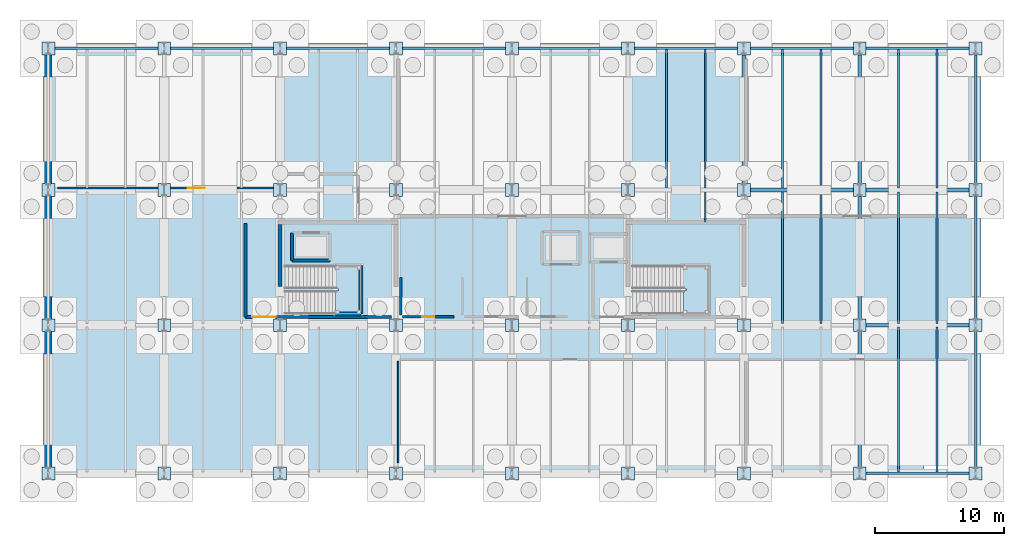
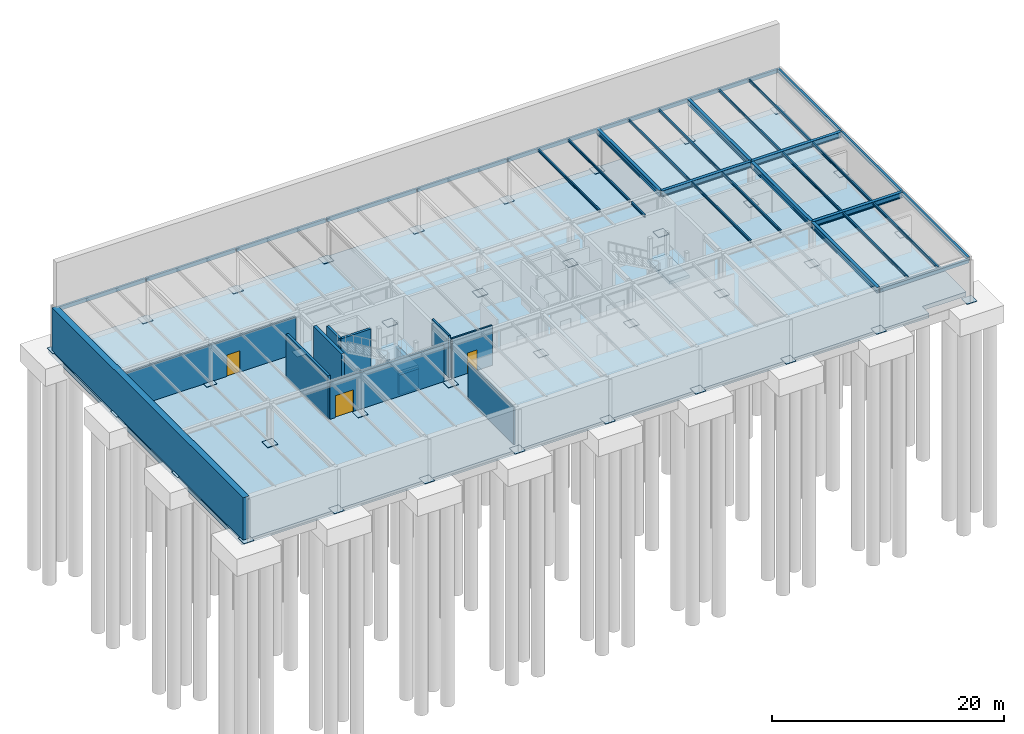
# One storey, part 8 of 19: 36 plates, 32 beams, 12 walls, 3 doors, 3 slabs, 3 openings, 2 elements without a shape of their own.
"""IFC4 building model written with IfcOpenShell, lengths in metres."""

from ifc_helpers import new_model, si_unit, direction, frame, frame_2d, origin, origin_2d, place, context, subcontext, project, spatial, polyline, rectangle, hollow_rectangle, i_section, outline, extrude, material, layer, layer_set, material_profile, profile_set, type_object, element, fill, aggregate, save


model = new_model("IFC4")

# Units and contexts
model_context = context("Model", 3, precision=1e-05, world=origin(), true_north=direction((0.0, 1.0)))
body_context = subcontext(model_context, "Body", "Model", "MODEL_VIEW")
ifc_project = project(units=[si_unit("LENGTHUNIT", "METRE"), si_unit("AREAUNIT", "SQUARE_METRE"), si_unit("VOLUMEUNIT", "CUBIC_METRE"), si_unit("PLANEANGLEUNIT", "RADIAN"), si_unit("MASSUNIT", "GRAM", prefix="KILO")], contexts=[model_context])

# Site, building, storey
site_placement = place(None, origin())
site = spatial("IfcSite", under=ifc_project, at=site_placement, CompositionType="ELEMENT")
building_placement = place(site_placement, origin())
building = spatial("IfcBuilding", under=site, at=building_placement, Name="Marlcrest Central Station", CompositionType="ELEMENT")
storey_placement = place(building_placement, frame((0.0, 0.0, -4.800048828125)))
storey = spatial("IfcBuildingStorey", under=building, at=storey_placement, Name="B1", CompositionType="ELEMENT", Elevation=-4.800048828125)

# Beams
ifc_material_1 = material(Name="Steel S355", Category="steel")
ifc_material_profile_1 = material_profile(ifc_material_1, i_section(OverallWidth=0.300048828125, OverallDepth=0.60009765625, WebThickness=0.015380859375, FlangeThickness=0.030029296875, FilletRadius=0.027099609375, at=origin_2d()), Name="HEB 600")
ifc_profile_set_1 = profile_set([ifc_material_profile_1], Name="Steel S355")
beam_type_1 = type_object("IfcBeamType", Name="BM-12", PredefinedType="BEAM", material=ifc_profile_set_1)
for number, where, z_axis, x_axis, name in (
    (1, (63.050048828125, 110.5, 4.199951171875), (1.0, 0.0, 0.0), (0.0, 1.0, 0.0), "bm-BM-12-B1-00016"),
    (2, (54.050048828125, 121.0, 4.199951171875), (1.0, 0.0, 0.0), (0.0, 1.0, 0.0), "bm-BM-12-B1-00023"),
    (3, (63.050048828125, 121.0, 4.199951171875), (1.0, 0.0, 0.0), (0.0, 1.0, 0.0), "bm-BM-12-B1-00024"),
):
    element("IfcBeam", number, at=place(storey_placement, frame(where, z_axis=z_axis, x_axis=x_axis)), inside=storey, type_object=beam_type_1, Name=name, PredefinedType="BEAM", context=body_context, shape_type="SweptSolid", body=[
        extrude(i_section(OverallWidth=0.300048828125, OverallDepth=0.60009765625, WebThickness=0.015380859375, FlangeThickness=0.030029296875, FilletRadius=0.027099609375, at=origin_2d()), origin(), (0.0, 0.0, 1.0), 8.89990234375),
    ])
beam_1_placement = place(storey_placement, frame((54.0, 121.050048828125, 4.199951171875), z_axis=(0.0, 1.0, 0.0), x_axis=(-1.0, 0.0, 0.0)))
element("IfcBeam", 4, at=beam_1_placement, inside=storey, type_object=beam_type_1, Name="bm-BM-12-B1-00053", PredefinedType="BEAM", context=body_context, shape_type="SweptSolid", body=[
    extrude(i_section(OverallWidth=0.300048828125, OverallDepth=0.60009765625, WebThickness=0.015380859375, FlangeThickness=0.030029296875, FilletRadius=0.027099609375, at=origin_2d()), origin(), (0.0, 0.0, 1.0), 10.89990234375),
])
beam_2_placement = place(storey_placement, frame((63.0, 99.050048828125, 4.199951171875), z_axis=(0.0, 1.0, 0.0), x_axis=(-1.0, 0.0, 0.0)))
element("IfcBeam", 5, at=beam_2_placement, inside=storey, type_object=beam_type_1, Name="bm-BM-12-B1-00054", PredefinedType="BEAM", context=body_context, shape_type="SweptSolid", body=[
    extrude(i_section(OverallWidth=0.300048828125, OverallDepth=0.60009765625, WebThickness=0.015380859375, FlangeThickness=0.030029296875, FilletRadius=0.027099609375, at=origin_2d()), origin(), (0.0, 0.0, 1.0), 11.39990234375),
])
beam_3_placement = place(storey_placement, frame((63.0, 110.550048828125, 4.199951171875), z_axis=(0.0, 1.0, 0.0), x_axis=(-1.0, 0.0, 0.0)))
element("IfcBeam", 6, at=beam_3_placement, inside=storey, type_object=beam_type_1, Name="bm-BM-12-B1-00055", PredefinedType="BEAM", context=body_context, shape_type="SweptSolid", body=[
    extrude(i_section(OverallWidth=0.300048828125, OverallDepth=0.60009765625, WebThickness=0.015380859375, FlangeThickness=0.030029296875, FilletRadius=0.027099609375, at=origin_2d()), origin(), (0.0, 0.0, 1.0), 10.39990234375),
])
beam_4_placement = place(storey_placement, frame((63.0, 121.050048828125, 4.199951171875), z_axis=(0.0, 1.0, 0.0), x_axis=(-1.0, 0.0, 0.0)))
element("IfcBeam", 7, at=beam_4_placement, inside=storey, type_object=beam_type_1, Name="bm-BM-12-B1-00056", PredefinedType="BEAM", context=body_context, shape_type="SweptSolid", body=[
    extrude(i_section(OverallWidth=0.300048828125, OverallDepth=0.60009765625, WebThickness=0.015380859375, FlangeThickness=0.030029296875, FilletRadius=0.027099609375, at=origin_2d()), origin(), (0.0, 0.0, 1.0), 10.89990234375),
])
ifc_material_profile_2 = material_profile(ifc_material_1, i_section(OverallWidth=0.135009765625, OverallDepth=0.27001953125, WebThickness=0.006591796875, FlangeThickness=0.01025390625, FilletRadius=0.014892578125, at=origin_2d()), Name="IPE 270")
ifc_profile_set_2 = profile_set([ifc_material_profile_2], Name="Steel S355")
beam_type_2 = type_object("IfcBeamType", Name="JS-04", PredefinedType="JOIST", material=ifc_profile_set_2)
beam_5_placement = place(storey_placement, frame((48.0, 121.14501953125, 4.364990234375), z_axis=(0.0, 1.0, 0.0), x_axis=(-1.0, 0.0, 0.0)))
element("IfcBeam", 8, at=beam_5_placement, inside=storey, type_object=beam_type_2, Name="bm-JS-04-B1-00092", PredefinedType="JOIST", context=body_context, shape_type="SweptSolid", body=[
    extrude(i_section(OverallWidth=0.135009765625, OverallDepth=0.27001953125, WebThickness=0.006591796875, FlangeThickness=0.01025390625, FilletRadius=0.014892578125, at=origin_2d()), origin(), (0.0, 0.0, 1.0), 10.760009765625),
])
beam_6_placement = place(storey_placement, frame((51.0, 118.52001953125, 4.364990234375), z_axis=(0.0, 1.0, 0.0), x_axis=(-1.0, 0.0, 0.0)))
element("IfcBeam", 9, at=beam_6_placement, inside=storey, type_object=beam_type_2, Name="bm-JS-04-B1-00094", PredefinedType="JOIST", context=body_context, shape_type="SweptSolid", body=[
    extrude(i_section(OverallWidth=0.135009765625, OverallDepth=0.27001953125, WebThickness=0.006591796875, FlangeThickness=0.01025390625, FilletRadius=0.014892578125, at=origin_2d()), origin(), (0.0, 0.0, 1.0), 2.3349609375),
])
beam_7_placement = place(storey_placement, frame((51.0, 121.14501953125, 4.364990234375), z_axis=(0.0, 1.0, 0.0), x_axis=(-1.0, 0.0, 0.0)))
element("IfcBeam", 10, at=beam_7_placement, inside=storey, type_object=beam_type_2, Name="bm-JS-04-B1-00095", PredefinedType="JOIST", context=body_context, shape_type="SweptSolid", body=[
    extrude(i_section(OverallWidth=0.135009765625, OverallDepth=0.27001953125, WebThickness=0.006591796875, FlangeThickness=0.01025390625, FilletRadius=0.014892578125, at=origin_2d()), origin(), (0.0, 0.0, 1.0), 10.760009765625),
])
beam_8_placement = place(storey_placement, frame((57.0, 110.64501953125, 4.364990234375), z_axis=(0.0, 1.0, 0.0), x_axis=(-1.0, 0.0, 0.0)))
element("IfcBeam", 11, at=beam_8_placement, inside=storey, type_object=beam_type_2, Name="bm-JS-04-B1-00097", PredefinedType="JOIST", context=body_context, shape_type="SweptSolid", body=[
    extrude(i_section(OverallWidth=0.135009765625, OverallDepth=0.27001953125, WebThickness=0.006591796875, FlangeThickness=0.01025390625, FilletRadius=0.014892578125, at=origin_2d()), origin(), (0.0, 0.0, 1.0), 10.2099609375),
])
beam_9_placement = place(storey_placement, frame((57.0, 121.14501953125, 4.364990234375), z_axis=(0.0, 1.0, 0.0), x_axis=(-1.0, 0.0, 0.0)))
element("IfcBeam", 12, at=beam_9_placement, inside=storey, type_object=beam_type_2, Name="bm-JS-04-B1-00098", PredefinedType="JOIST", context=body_context, shape_type="SweptSolid", body=[
    extrude(i_section(OverallWidth=0.135009765625, OverallDepth=0.27001953125, WebThickness=0.006591796875, FlangeThickness=0.01025390625, FilletRadius=0.014892578125, at=origin_2d()), origin(), (0.0, 0.0, 1.0), 10.760009765625),
])
beam_10_placement = place(storey_placement, frame((60.0, 110.64501953125, 4.364990234375), z_axis=(0.0, 1.0, 0.0), x_axis=(-1.0, 0.0, 0.0)))
element("IfcBeam", 13, at=beam_10_placement, inside=storey, type_object=beam_type_2, Name="bm-JS-04-B1-00100", PredefinedType="JOIST", context=body_context, shape_type="SweptSolid", body=[
    extrude(i_section(OverallWidth=0.135009765625, OverallDepth=0.27001953125, WebThickness=0.006591796875, FlangeThickness=0.01025390625, FilletRadius=0.014892578125, at=origin_2d()), origin(), (0.0, 0.0, 1.0), 10.2099609375),
])
beam_11_placement = place(storey_placement, frame((60.0, 121.14501953125, 4.364990234375), z_axis=(0.0, 1.0, 0.0), x_axis=(-1.0, 0.0, 0.0)))
element("IfcBeam", 14, at=beam_11_placement, inside=storey, type_object=beam_type_2, Name="bm-JS-04-B1-00101", PredefinedType="JOIST", context=body_context, shape_type="SweptSolid", body=[
    extrude(i_section(OverallWidth=0.135009765625, OverallDepth=0.27001953125, WebThickness=0.006591796875, FlangeThickness=0.01025390625, FilletRadius=0.014892578125, at=origin_2d()), origin(), (0.0, 0.0, 1.0), 10.760009765625),
])
beam_12_placement = place(storey_placement, frame((66.0, 99.094970703125, 4.364990234375), z_axis=(0.0, 1.0, 0.0), x_axis=(-1.0, 0.0, 0.0)))
element("IfcBeam", 15, at=beam_12_placement, inside=storey, type_object=beam_type_2, Name="bm-JS-04-B1-00102", PredefinedType="JOIST", context=body_context, shape_type="SweptSolid", body=[
    extrude(i_section(OverallWidth=0.135009765625, OverallDepth=0.27001953125, WebThickness=0.006591796875, FlangeThickness=0.01025390625, FilletRadius=0.014892578125, at=origin_2d()), origin(), (0.0, 0.0, 1.0), 11.260009765625),
])
beam_13_placement = place(storey_placement, frame((66.0, 110.64501953125, 4.364990234375), z_axis=(0.0, 1.0, 0.0), x_axis=(-1.0, 0.0, 0.0)))
element("IfcBeam", 16, at=beam_13_placement, inside=storey, type_object=beam_type_2, Name="bm-JS-04-B1-00103", PredefinedType="JOIST", context=body_context, shape_type="SweptSolid", body=[
    extrude(i_section(OverallWidth=0.135009765625, OverallDepth=0.27001953125, WebThickness=0.006591796875, FlangeThickness=0.01025390625, FilletRadius=0.014892578125, at=origin_2d()), origin(), (0.0, 0.0, 1.0), 10.2099609375),
])
beam_14_placement = place(storey_placement, frame((66.0, 121.14501953125, 4.364990234375), z_axis=(0.0, 1.0, 0.0), x_axis=(-1.0, 0.0, 0.0)))
element("IfcBeam", 17, at=beam_14_placement, inside=storey, type_object=beam_type_2, Name="bm-JS-04-B1-00104", PredefinedType="JOIST", context=body_context, shape_type="SweptSolid", body=[
    extrude(i_section(OverallWidth=0.135009765625, OverallDepth=0.27001953125, WebThickness=0.006591796875, FlangeThickness=0.01025390625, FilletRadius=0.014892578125, at=origin_2d()), origin(), (0.0, 0.0, 1.0), 10.760009765625),
])
beam_15_placement = place(storey_placement, frame((69.0, 99.094970703125, 4.364990234375), z_axis=(0.0, 1.0, 0.0), x_axis=(-1.0, 0.0, 0.0)))
element("IfcBeam", 18, at=beam_15_placement, inside=storey, type_object=beam_type_2, Name="bm-JS-04-B1-00105", PredefinedType="JOIST", context=body_context, shape_type="SweptSolid", body=[
    extrude(i_section(OverallWidth=0.135009765625, OverallDepth=0.27001953125, WebThickness=0.006591796875, FlangeThickness=0.01025390625, FilletRadius=0.014892578125, at=origin_2d()), origin(), (0.0, 0.0, 1.0), 11.260009765625),
])
beam_16_placement = place(storey_placement, frame((69.0, 110.64501953125, 4.364990234375), z_axis=(0.0, 1.0, 0.0), x_axis=(-1.0, 0.0, 0.0)))
element("IfcBeam", 19, at=beam_16_placement, inside=storey, type_object=beam_type_2, Name="bm-JS-04-B1-00106", PredefinedType="JOIST", context=body_context, shape_type="SweptSolid", body=[
    extrude(i_section(OverallWidth=0.135009765625, OverallDepth=0.27001953125, WebThickness=0.006591796875, FlangeThickness=0.01025390625, FilletRadius=0.014892578125, at=origin_2d()), origin(), (0.0, 0.0, 1.0), 10.2099609375),
])
beam_17_placement = place(storey_placement, frame((69.0, 121.14501953125, 4.364990234375), z_axis=(0.0, 1.0, 0.0), x_axis=(-1.0, 0.0, 0.0)))
element("IfcBeam", 20, at=beam_17_placement, inside=storey, type_object=beam_type_2, Name="bm-JS-04-B1-00107", PredefinedType="JOIST", context=body_context, shape_type="SweptSolid", body=[
    extrude(i_section(OverallWidth=0.135009765625, OverallDepth=0.27001953125, WebThickness=0.006591796875, FlangeThickness=0.01025390625, FilletRadius=0.014892578125, at=origin_2d()), origin(), (0.0, 0.0, 1.0), 10.760009765625),
])
ifc_material_profile_3 = material_profile(ifc_material_1, hollow_rectangle(XDim=0.199951171875, YDim=0.39990234375, WallThickness=0.01611328125, at=origin_2d()), Name="RHS 400x200x16")
ifc_profile_set_3 = profile_set([ifc_material_profile_3], Name="Steel S355")
beam_type_3 = type_object("IfcBeamType", Name="SP-01", PredefinedType="SPANDREL", material=ifc_profile_set_3)
for number, where, z_axis, x_axis, name in (
    (21, (63.050048828125, 99.0, 4.195068359375), (1.0, 0.0, 0.0), (0.0, 1.0, 0.0), "bm-SP-01-B1-00008"),
    (22, (0.050048828125, 132.0, 4.195068359375), (1.0, 0.0, 0.0), (0.0, 1.0, 0.0), "bm-SP-01-B1-00025"),
    (23, (9.050048828125, 132.0, 4.195068359375), (1.0, 0.0, 0.0), (0.0, 1.0, 0.0), "bm-SP-01-B1-00026"),
    (24, (18.050048828125, 132.0, 4.195068359375), (1.0, 0.0, 0.0), (0.0, 1.0, 0.0), "bm-SP-01-B1-00027"),
    (25, (27.050048828125, 132.0, 4.195068359375), (1.0, 0.0, 0.0), (0.0, 1.0, 0.0), "bm-SP-01-B1-00028"),
    (26, (36.050048828125, 132.0, 4.195068359375), (1.0, 0.0, 0.0), (0.0, 1.0, 0.0), "bm-SP-01-B1-00029"),
    (27, (45.050048828125, 132.0, 4.195068359375), (1.0, 0.0, 0.0), (0.0, 1.0, 0.0), "bm-SP-01-B1-00030"),
    (28, (54.050048828125, 132.0, 4.195068359375), (1.0, 0.0, 0.0), (0.0, 1.0, 0.0), "bm-SP-01-B1-00031"),
    (29, (63.050048828125, 132.0, 4.195068359375), (1.0, 0.0, 0.0), (0.0, 1.0, 0.0), "bm-SP-01-B1-00032"),
):
    element("IfcBeam", number, at=place(storey_placement, frame(where, z_axis=z_axis, x_axis=x_axis)), inside=storey, type_object=beam_type_3, Name=name, PredefinedType="SPANDREL", context=body_context, shape_type="SweptSolid", body=[
        extrude(hollow_rectangle(XDim=0.199951171875, YDim=0.39990234375, WallThickness=0.01611328125, at=origin_2d()), origin(), (0.0, 0.0, 1.0), 8.89990234375),
    ])
beam_18_placement = place(storey_placement, frame((72.0, 99.050048828125, 4.300048828125), z_axis=(0.0, 1.0, 0.0), x_axis=(-1.0, 0.0, 0.0)))
element("IfcBeam", 30, at=beam_18_placement, inside=storey, type_object=beam_type_3, Name="bm-SP-01-B1-00057", PredefinedType="SPANDREL", context=body_context, shape_type="SweptSolid", body=[
    extrude(hollow_rectangle(XDim=0.199951171875, YDim=0.39990234375, WallThickness=0.01611328125, at=origin_2d()), origin(), (0.0, 0.0, 1.0), 11.39990234375),
])
beam_19_placement = place(storey_placement, frame((72.0, 110.550048828125, 4.300048828125), z_axis=(0.0, 1.0, 0.0), x_axis=(-1.0, 0.0, 0.0)))
element("IfcBeam", 31, at=beam_19_placement, inside=storey, type_object=beam_type_3, Name="bm-SP-01-B1-00058", PredefinedType="SPANDREL", context=body_context, shape_type="SweptSolid", body=[
    extrude(hollow_rectangle(XDim=0.199951171875, YDim=0.39990234375, WallThickness=0.01611328125, at=origin_2d()), origin(), (0.0, 0.0, 1.0), 10.39990234375),
])
beam_20_placement = place(storey_placement, frame((72.0, 121.050048828125, 4.300048828125), z_axis=(0.0, 1.0, 0.0), x_axis=(-1.0, 0.0, 0.0)))
element("IfcBeam", 32, at=beam_20_placement, inside=storey, type_object=beam_type_3, Name="bm-SP-01-B1-00059", PredefinedType="SPANDREL", context=body_context, shape_type="SweptSolid", body=[
    extrude(hollow_rectangle(XDim=0.199951171875, YDim=0.39990234375, WallThickness=0.01611328125, at=origin_2d()), origin(), (0.0, 0.0, 1.0), 10.89990234375),
])

# Plates
ifc_layer_1 = layer(ifc_material_1, 0.0380859375, Name="BPL-02")
ifc_layer_set_1 = layer_set([ifc_layer_1], Name="Steel S355")
plate_type = type_object("IfcPlateType", Name="BPL-02", PredefinedType="USERDEFINED", material=ifc_layer_set_1)
for number, where, z_axis, x_axis, name in (
    (33, (0.0, 99.0, 0.0), (0.0, 0.0, 1.0), (1.0, 0.0, 0.0), "plt-bp-00001"),
    (34, (0.0, 110.5, 0.0), (0.0, 0.0, 1.0), (1.0, 0.0, 0.0), "plt-bp-00002"),
    (35, (0.0, 121.0, 0.0), (0.0, 0.0, 1.0), (1.0, 0.0, 0.0), "plt-bp-00003"),
    (36, (0.0, 132.0, 0.0), (0.0, 0.0, 1.0), (1.0, 0.0, 0.0), "plt-bp-00004"),
    (37, (9.0, 99.0, 0.0), (0.0, 0.0, 1.0), (1.0, 0.0, 0.0), "plt-bp-00005"),
    (38, (9.0, 110.5, 0.0), (0.0, 0.0, 1.0), (1.0, 0.0, 0.0), "plt-bp-00006"),
    (39, (9.0, 121.0, 0.0), (0.0, 0.0, 1.0), (1.0, 0.0, 0.0), "plt-bp-00007"),
    (40, (9.0, 132.0, 0.0), (0.0, 0.0, 1.0), (1.0, 0.0, 0.0), "plt-bp-00008"),
    (41, (18.0, 99.0, 0.0), (0.0, 0.0, 1.0), (1.0, 0.0, 0.0), "plt-bp-00009"),
    (42, (18.0, 110.5, 0.0), (0.0, 0.0, 1.0), (1.0, 0.0, 0.0), "plt-bp-00010"),
    (43, (18.0, 121.0, 0.0), (0.0, 0.0, 1.0), (1.0, 0.0, 0.0), "plt-bp-00011"),
    (44, (18.0, 132.0, 0.0), (0.0, 0.0, 1.0), (1.0, 0.0, 0.0), "plt-bp-00012"),
    (45, (27.0, 99.0, 0.0), (0.0, 0.0, 1.0), (1.0, 0.0, 0.0), "plt-bp-00013"),
    (46, (27.0, 110.5, 0.0), (0.0, 0.0, 1.0), (1.0, 0.0, 0.0), "plt-bp-00014"),
    (47, (27.0, 121.0, 0.0), (0.0, 0.0, 1.0), (1.0, 0.0, 0.0), "plt-bp-00015"),
    (48, (27.0, 132.0, 0.0), (0.0, 0.0, 1.0), (1.0, 0.0, 0.0), "plt-bp-00016"),
    (49, (36.0, 99.0, 0.0), (0.0, 0.0, 1.0), (1.0, 0.0, 0.0), "plt-bp-00017"),
    (50, (36.0, 110.5, 0.0), (0.0, 0.0, 1.0), (1.0, 0.0, 0.0), "plt-bp-00018"),
    (51, (36.0, 121.0, 0.0), (0.0, 0.0, 1.0), (1.0, 0.0, 0.0), "plt-bp-00019"),
    (52, (36.0, 132.0, 0.0), (0.0, 0.0, 1.0), (1.0, 0.0, 0.0), "plt-bp-00020"),
    (53, (45.0, 99.0, 0.0), (0.0, 0.0, 1.0), (1.0, 0.0, 0.0), "plt-bp-00021"),
    (54, (45.0, 110.5, 0.0), (0.0, 0.0, 1.0), (1.0, 0.0, 0.0), "plt-bp-00022"),
    (55, (45.0, 121.0, 0.0), (0.0, 0.0, 1.0), (1.0, 0.0, 0.0), "plt-bp-00023"),
    (56, (45.0, 132.0, 0.0), (0.0, 0.0, 1.0), (1.0, 0.0, 0.0), "plt-bp-00024"),
    (57, (54.0, 99.0, 0.0), (0.0, 0.0, 1.0), (1.0, 0.0, 0.0), "plt-bp-00025"),
    (58, (54.0, 110.5, 0.0), (0.0, 0.0, 1.0), (1.0, 0.0, 0.0), "plt-bp-00026"),
    (59, (54.0, 121.0, 0.0), (0.0, 0.0, 1.0), (1.0, 0.0, 0.0), "plt-bp-00027"),
    (60, (54.0, 132.0, 0.0), (0.0, 0.0, 1.0), (1.0, 0.0, 0.0), "plt-bp-00028"),
    (61, (63.0, 99.0, 0.0), (0.0, 0.0, 1.0), (1.0, 0.0, 0.0), "plt-bp-00029"),
    (62, (63.0, 110.5, 0.0), (0.0, 0.0, 1.0), (1.0, 0.0, 0.0), "plt-bp-00030"),
    (63, (63.0, 121.0, 0.0), (0.0, 0.0, 1.0), (1.0, 0.0, 0.0), "plt-bp-00031"),
    (64, (63.0, 132.0, 0.0), (0.0, 0.0, 1.0), (1.0, 0.0, 0.0), "plt-bp-00032"),
    (65, (72.0, 99.0, 0.0), (0.0, 0.0, 1.0), (1.0, 0.0, 0.0), "plt-bp-00033"),
    (66, (72.0, 110.5, 0.0), (0.0, 0.0, 1.0), (1.0, 0.0, 0.0), "plt-bp-00034"),
    (67, (72.0, 121.0, 0.0), (0.0, 0.0, 1.0), (1.0, 0.0, 0.0), "plt-bp-00035"),
    (68, (72.0, 132.0, 0.0), (0.0, 0.0, 1.0), (1.0, 0.0, 0.0), "plt-bp-00036"),
):
    element("IfcPlate", number, at=place(storey_placement, frame(where, z_axis=z_axis, x_axis=x_axis)), inside=storey, type_object=plate_type, Name=name, ObjectType="BASE_PLATE", PredefinedType="USERDEFINED", context=body_context, shape_type="SweptSolid", body=[
        extrude(rectangle(XDim=1.0, YDim=1.0, at=origin_2d()), origin(), (0.0, 0.0, 1.0), 0.0380859375),
    ])

# Slab
ifc_material_2 = material(Name="Concrete C35/45", Category="concrete")
ifc_layer_2 = layer(ifc_material_2, 0.449951171875, Name="BS-01")
ifc_layer_set_2 = layer_set([ifc_layer_2], Name="Concrete C35/45")
slab_type_1 = type_object("IfcSlabType", Name="BS-01", PredefinedType="BASESLAB", material=ifc_layer_set_2)
slab_1_placement = place(storey_placement, frame((0.0, 0.0, -0.449951171875)))
element("IfcSlab", 69, at=slab_1_placement, inside=storey, type_object=slab_type_1, Name="slab-B1-0001", PredefinedType="BASESLAB", context=body_context, shape_type="SweptSolid", body=[
    extrude(outline(polyline([(-0.39990234375, 99.0), (68.0, 99.0), (68.0, 100.199951171875), (72.39990234375, 100.199951171875), (72.39990234375, 132.39990234375), (-0.39990234375, 132.39990234375), (-0.39990234375, 99.0)])), origin(), (0.0, 0.0, 1.0), 0.449951171875),
])

# Stair, slab
stair_type = type_object("IfcStairType", Name="ST-HTS", PredefinedType="HALF_TURN_STAIR", material=ifc_material_2)
stair_1_placement = place(storey_placement, origin())
stair_1 = element("IfcStair", 70, at=stair_1_placement, inside=storey, type_object=stair_type, Name="ST-W1B", PredefinedType="HALF_TURN_STAIR")
ifc_layer_3 = layer(ifc_material_2, 0.320068359375, Name="LS-01")
ifc_layer_set_3 = layer_set([ifc_layer_3], Name="Concrete C35/45")
slab_type_2 = type_object("IfcSlabType", Name="LS-01", PredefinedType="LANDING", material=ifc_layer_set_3)
slab_2_placement = place(storey_placement, frame((0.0, 0.0, 2.080078125)))
slab_2 = element("IfcSlab", 71, at=slab_2_placement, type_object=slab_type_2, Name="ST-W1B-L1", PredefinedType="LANDING", context=body_context, shape_type="SweptSolid", body=[
    extrude(outline(polyline([(22.280029296875, 111.3701171875), (24.280029296875, 111.3701171875), (24.280029296875, 115.1298828125), (22.280029296875, 115.1298828125), (22.280029296875, 113.31005859375), (22.530029296875, 113.31005859375), (22.530029296875, 113.18994140625), (22.280029296875, 113.18994140625), (22.280029296875, 111.3701171875)])), origin(), (0.0, 0.0, 1.0), 0.320068359375),
])
aggregate(stair_1, [slab_2])

stair_2_placement = place(storey_placement, origin())
stair_2 = element("IfcStair", 72, at=stair_2_placement, inside=storey, type_object=stair_type, Name="ST-W2B", PredefinedType="HALF_TURN_STAIR")
slab_3_placement = place(storey_placement, frame((0.0, 0.0, 2.080078125)))
slab_3 = element("IfcSlab", 73, at=slab_3_placement, type_object=slab_type_2, Name="ST-W2B-L1", PredefinedType="LANDING", context=body_context, shape_type="SweptSolid", body=[
    extrude(outline(polyline([(49.280029296875, 111.3701171875), (51.280029296875, 111.3701171875), (51.280029296875, 115.1298828125), (49.280029296875, 115.1298828125), (49.280029296875, 113.31005859375), (49.530029296875, 113.31005859375), (49.530029296875, 113.18994140625), (49.280029296875, 113.18994140625), (49.280029296875, 111.3701171875)])), origin(), (0.0, 0.0, 1.0), 0.320068359375),
])
aggregate(stair_2, [slab_3])

# Wall
ifc_material_3 = material(Name="Acoustic steel-stud gypsum board partition", Category="steel")
ifc_layer_4 = layer(ifc_material_3, 0.1201171875, Name="PT-01")
ifc_layer_set_4 = layer_set([ifc_layer_4], Name="Acoustic steel-stud gypsum board partition")
wall_type_1 = type_object("IfcWallType", Name="PT-01", PredefinedType="PARTITIONING", material=ifc_layer_set_4)
wall_1_placement = place(storey_placement, frame((27.159912109375, 99.81005859375, 0.0), z_axis=(0.0, 0.0, 1.0), x_axis=(0.0, 1.0, 0.0)))
element("IfcWall", 74, at=wall_1_placement, inside=storey, type_object=wall_type_1, Name="iwall-B1-00007", PredefinedType="PARTITIONING", context=body_context, shape_type="SweptSolid", body=[
    extrude(rectangle(XDim=7.8798828125, YDim=0.1201171875, at=frame_2d((3.93994140625, 0.0))), origin(), (0.0, 0.0, 1.0), 3.8701171875),
])

# Wall, opening, door
ifc_material_4 = material(Name="Moisture-resistant tiled sanitary partition")
ifc_layer_5 = layer(ifc_material_4, 0.159912109375, Name="PT-03")
ifc_layer_set_5 = layer_set([ifc_layer_5], Name="Moisture-resistant tiled sanitary partition")
wall_type_2 = type_object("IfcWallType", Name="PT-03", PredefinedType="PARTITIONING", material=ifc_layer_set_5)
wall_2_placement = place(storey_placement, frame((31.489990234375, 111.159912109375, 0.0), z_axis=(0.0, 0.0, 1.0), x_axis=(-1.0, 0.0, 0.0)))
wall_2 = element("IfcWall", 75, at=wall_2_placement, inside=storey, type_object=wall_type_2, Name="iwall-B1-00012", PredefinedType="PARTITIONING", context=body_context, shape_type="SweptSolid", body=[
    extrude(rectangle(XDim=3.97998046875, YDim=0.159912109375, at=frame_2d((1.989990234375, 0.0))), origin(), (0.0, 0.0, 1.0), 4.199951171875),
])
opening_1_placement = place(wall_2_placement, frame((1.514892578125, 0.0, 0.0)))
opening_1 = element("IfcOpeningElement", 76, at=opening_1_placement, cuts=wall_2, Name="Opening ID-01", PredefinedType="OPENING", context=body_context, shape_type="SweptSolid", body=[
    extrude(rectangle(XDim=0.949951171875, YDim=2.14990234375, at=frame_2d((0.47509765625, 1.074951171875))), frame((0.0, 0.08984375, 0.0), z_axis=(0.0, -1.0, 0.0), x_axis=(1.0, 0.0, 0.0)), (0.0, 0.0, 1.0), 0.179931640625),
])
ifc_material_5 = material(Name="Solid-core hardwood acoustic door", Category="wood")
door_type_1 = type_object("IfcDoorType", Name="ID-01", OperationType="NOTDEFINED", PredefinedType="DOOR", material=ifc_material_5)
door_1_placement = place(opening_1_placement, origin())
door_1 = element("IfcDoor", 77, at=door_1_placement, inside=storey, type_object=door_type_1, Name="B1-WC1 0007", OperationType="SINGLE_SWING_RIGHT", OverallHeight=2.14990234375, OverallWidth=0.949951171875, PredefinedType="DOOR", context=body_context, shape_type="SweptSolid", body=[
    extrude(rectangle(XDim=0.949951171875, YDim=2.14990234375, at=frame_2d((0.47509765625, 1.074951171875))), frame((0.0, 0.02490234375, 0.0), z_axis=(0.0, -1.0, 0.0), x_axis=(1.0, 0.0, 0.0)), (0.0, 0.0, 1.0), 0.050048828125),
])
fill(opening_1, door_1)

# Wall
wall_3_placement = place(storey_placement, frame((27.360107421875, 111.31005859375, 0.0), z_axis=(0.0, 0.0, 1.0), x_axis=(0.0, 1.0, 0.0)))
element("IfcWall", 78, at=wall_3_placement, inside=storey, type_object=wall_type_2, Name="iwall-B1-00013", PredefinedType="PARTITIONING", context=body_context, shape_type="SweptSolid", body=[
    extrude(rectangle(XDim=2.8798828125, YDim=0.159912109375, at=frame_2d((1.43994140625, 0.0))), origin(), (0.0, 0.0, 1.0), 4.449951171875),
])

# Wall, opening, door
ifc_material_6 = material(Name="Fire-rated corridor blockwork partition", Category="masonry")
ifc_layer_6 = layer(ifc_material_6, 0.179931640625, Name="PT-04")
ifc_layer_set_6 = layer_set([ifc_layer_6], Name="Fire-rated corridor blockwork partition")
wall_type_3 = type_object("IfcWallType", Name="PT-04", PredefinedType="PARTITIONING", material=ifc_layer_set_6)
wall_4_placement = place(storey_placement, frame((17.68994140625, 121.159912109375, 0.0), z_axis=(0.0, 0.0, 1.0), x_axis=(-1.0, 0.0, 0.0)))
wall_4 = element("IfcWall", 79, at=wall_4_placement, inside=storey, type_object=wall_type_3, Name="iwall-B1-00001", PredefinedType="PARTITIONING", context=body_context, shape_type="SweptSolid", body=[
    extrude(rectangle(XDim=16.97998046875, YDim=0.179931640625, at=frame_2d((8.489990234375, 0.0))), origin(), (0.0, 0.0, 1.0), 3.8701171875),
])
opening_2_placement = place(wall_4_placement, frame((5.553955078125, 0.0, 0.0)))
opening_2 = element("IfcOpeningElement", 80, at=opening_2_placement, cuts=wall_4, Name="Opening FD-60W", PredefinedType="OPENING", context=body_context, shape_type="SweptSolid", body=[
    extrude(rectangle(XDim=1.300048828125, YDim=2.25, at=frame_2d((0.64990234375, 1.125))), frame((0.0, 0.099853515625, 0.0), z_axis=(0.0, -1.0, 0.0), x_axis=(1.0, 0.0, 0.0)), (0.0, 0.0, 1.0), 0.199951171875),
])
ifc_material_7 = material(Name="Wide 60-minute plant equipment fire door")
door_type_2 = type_object("IfcDoorType", Name="FD-60W", OperationType="NOTDEFINED", PredefinedType="DOOR", material=ifc_material_7)
door_2_placement = place(opening_2_placement, origin())
door_2 = element("IfcDoor", 81, at=door_2_placement, inside=storey, type_object=door_type_2, Name="B1-03 0001", OperationType="SINGLE_SWING_RIGHT", OverallHeight=2.25, OverallWidth=1.300048828125, PredefinedType="DOOR", context=body_context, shape_type="SweptSolid", body=[
    extrude(rectangle(XDim=1.300048828125, YDim=2.25, at=frame_2d((0.64990234375, 1.125))), frame((0.0, 0.02490234375, 0.0), z_axis=(0.0, -1.0, 0.0), x_axis=(1.0, 0.0, 0.0)), (0.0, 0.0, 1.0), 0.050048828125),
])
fill(opening_2, door_2)

# Walls
ifc_material_8 = material(Name="Concrete C40/50", Category="concrete")
ifc_layer_7 = layer(ifc_material_8, 0.60009765625, Name="RW-04")
ifc_layer_set_7 = layer_set([ifc_layer_7], Name="Concrete C40/50")
wall_type_4 = type_object("IfcWallType", Name="RW-04", PredefinedType="USERDEFINED", material=ifc_layer_set_7)
wall_5_placement = place(storey_placement, frame((0.0, 132.0, 0.0), z_axis=(0.0, 0.0, 1.0), x_axis=(0.0, -1.0, 0.0)))
element("IfcWall", 82, at=wall_5_placement, inside=storey, type_object=wall_type_4, Name="swall-B1-0004", ObjectType="RETAINING_WALL", PredefinedType="USERDEFINED", context=body_context, shape_type="SweptSolid", body=[
    extrude(rectangle(XDim=33.0, YDim=0.60009765625, at=frame_2d((16.5, 0.0))), origin(), (0.0, 0.0, 1.0), 4.5),
])
ifc_layer_8 = layer(ifc_material_8, 0.22998046875, Name="SHW-01")
ifc_layer_set_8 = layer_set([ifc_layer_8], Name="Concrete C40/50")
wall_type_5 = type_object("IfcWallType", Name="SHW-01", PredefinedType="SOLIDWALL", material=ifc_layer_set_8)
wall_6_placement = place(storey_placement, frame((21.8798828125, 115.52001953125, 0.0), z_axis=(0.0, 0.0, 1.0), x_axis=(-1.0, 0.0, 0.0)))
element("IfcWall", 83, at=wall_6_placement, inside=storey, type_object=wall_type_5, Name="iwall-B1-00344", PredefinedType="SOLIDWALL", context=body_context, shape_type="SweptSolid", body=[
    extrude(rectangle(XDim=2.9599609375, YDim=0.22998046875, at=frame_2d((1.47998046875, 0.0))), origin(), (0.0, 0.0, 1.0), 4.56005859375),
])
wall_7_placement = place(storey_placement, frame((18.919921875, 115.52001953125, 0.0), z_axis=(0.0, 0.0, 1.0), x_axis=(0.0, 1.0, 0.0)))
element("IfcWall", 84, at=wall_7_placement, inside=storey, type_object=wall_type_5, Name="iwall-B1-00345", PredefinedType="SOLIDWALL", context=body_context, shape_type="SweptSolid", body=[
    extrude(rectangle(XDim=2.159912109375, YDim=0.22998046875, at=frame_2d((1.080078125, 0.0))), origin(), (0.0, 0.0, 1.0), 4.56005859375),
])

# Wall, opening, door
wall_8_placement = place(storey_placement, frame((15.300048828125, 111.14990234375, 0.0), z_axis=(0.0, 0.0, 1.0), x_axis=(1.0, 0.0, 0.0)))
wall_8 = element("IfcWall", 85, at=wall_8_placement, inside=storey, type_object=wall_type_5, Name="iwall-B1-00425", PredefinedType="SOLIDWALL", context=body_context, shape_type="SweptSolid", body=[
    extrude(rectangle(XDim=11.349853515625, YDim=0.22998046875, at=frame_2d((5.6748046875, 0.0))), origin(), (0.0, 0.0, 1.0), 3.8701171875),
])
opening_3_placement = place(wall_8_placement, frame((0.550048828125, 0.0, 0.0)))
opening_3 = element("IfcOpeningElement", 86, at=opening_3_placement, cuts=wall_8, Name="Opening FD-90D", PredefinedType="OPENING", context=body_context, shape_type="SweptSolid", body=[
    extrude(rectangle(XDim=1.800048828125, YDim=2.300048828125, at=frame_2d((0.89990234375, 1.14990234375))), frame((0.0, 0.125, 0.0), z_axis=(0.0, -1.0, 0.0), x_axis=(1.0, 0.0, 0.0)), (0.0, 0.0, 1.0), 0.25),
])
ifc_material_9 = material(Name="90-minute double exit-stair fire door")
door_type_3 = type_object("IfcDoorType", Name="FD-90D", OperationType="DOUBLE_DOOR_SINGLE_SWING", PredefinedType="DOOR", material=ifc_material_9)
door_3_placement = place(opening_3_placement, origin())
door_3 = element("IfcDoor", 87, at=door_3_placement, inside=storey, type_object=door_type_3, Name="ST-W1B Stair Door 0182", OperationType="DOUBLE_DOOR_SINGLE_SWING", OverallHeight=2.300048828125, OverallWidth=1.800048828125, PredefinedType="DOOR", context=body_context, shape_type="SweptSolid", body=[
    extrude(rectangle(XDim=1.800048828125, YDim=2.300048828125, at=frame_2d((0.89990234375, 1.14990234375))), frame((0.0, 0.02490234375, 0.0), z_axis=(0.0, -1.0, 0.0), x_axis=(1.0, 0.0, 0.0)), (0.0, 0.0, 1.0), 0.050048828125),
])
fill(opening_3, door_3)

# Walls
wall_9_placement = place(storey_placement, frame((15.300048828125, 111.14990234375, 0.0), z_axis=(0.0, 0.0, 1.0), x_axis=(0.0, 1.0, 0.0)))
element("IfcWall", 88, at=wall_9_placement, inside=storey, type_object=wall_type_5, Name="iwall-B1-00426", PredefinedType="SOLIDWALL", context=body_context, shape_type="SweptSolid", body=[
    extrude(rectangle(XDim=7.25, YDim=0.22998046875, at=frame_2d((3.625, 0.0))), origin(), (0.0, 0.0, 1.0), 4.550048828125),
])
ifc_material_10 = material(Name="Concrete C50/60", Category="concrete")
ifc_layer_9 = layer(ifc_material_10, 0.300048828125, Name="SW-02")
ifc_layer_set_9 = layer_set([ifc_layer_9], Name="Concrete C50/60")
wall_type_6 = type_object("IfcWallType", Name="SW-02", PredefinedType="SHEAR", material=ifc_layer_set_9)
wall_10_placement = place(storey_placement, frame((18.0, 113.5, 0.0), z_axis=(0.0, 0.0, 1.0), x_axis=(0.0, 1.0, 0.0)))
element("IfcWall", 89, at=wall_10_placement, inside=storey, type_object=wall_type_6, Name="swall-B1-0006", PredefinedType="SHEAR", context=body_context, shape_type="SweptSolid", body=[
    extrude(rectangle(XDim=4.824951171875, YDim=0.300048828125, at=frame_2d((2.41259765625, 0.0))), origin(), (0.0, 0.0, 1.0), 4.5),
])
wall_11_placement = place(storey_placement, frame((22.280029296875, 111.3701171875, 0.0), z_axis=(0.0, 0.0, 1.0), x_axis=(1.0, 0.0, 0.0)))
element("IfcWall", 90, at=wall_11_placement, inside=storey, type_object=wall_type_6, Name="htsw-lo-0042-S", PredefinedType="SHEAR", context=body_context, shape_type="SweptSolid", body=[
    extrude(rectangle(XDim=2.0, YDim=0.300048828125, at=frame_2d((1.0, 0.0))), origin(), (0.0, 0.0, 1.0), 2.080078125),
])
wall_12_placement = place(storey_placement, frame((24.280029296875, 111.3701171875, 0.0), z_axis=(0.0, 0.0, 1.0), x_axis=(0.0, 1.0, 0.0)))
element("IfcWall", 91, at=wall_12_placement, inside=storey, type_object=wall_type_6, Name="htsw-lo-0042-E", PredefinedType="SHEAR", context=body_context, shape_type="SweptSolid", body=[
    extrude(rectangle(XDim=3.759765625, YDim=0.300048828125, at=frame_2d((1.8798828125, 0.0))), origin(), (0.0, 0.0, 1.0), 2.080078125),
])

save(model, "model.ifc")
